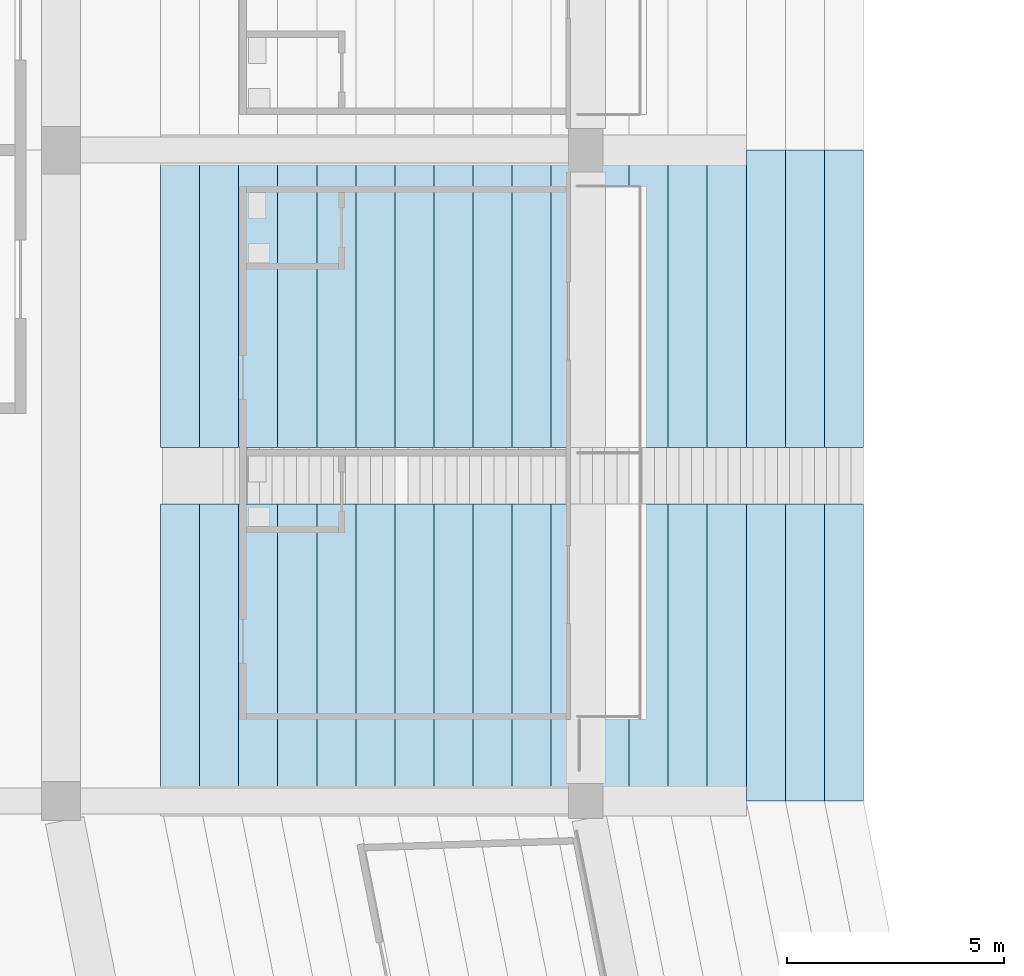
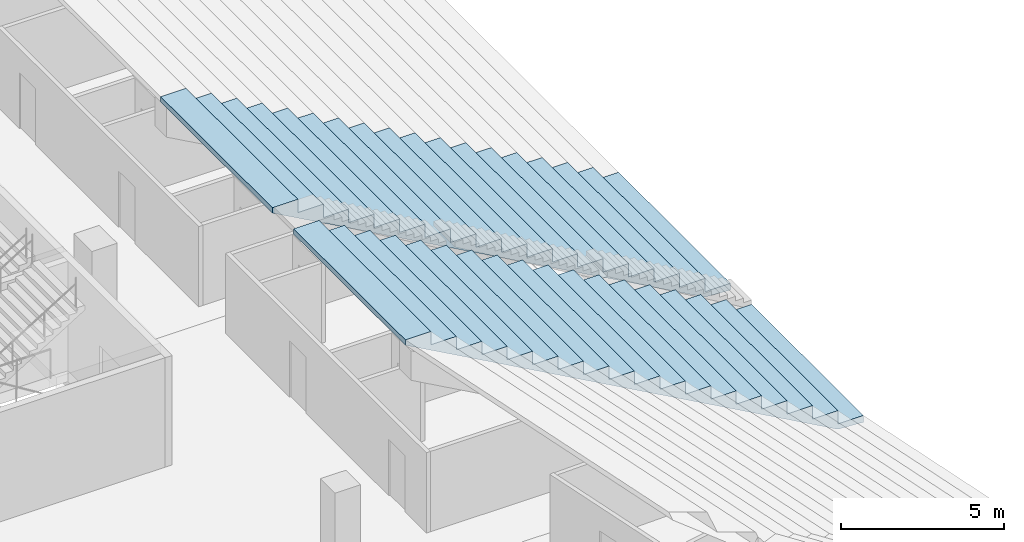
# One storey, part 116 of 249: 1 slab.
"""IFC4 building model written with IfcOpenShell, lengths in metres."""

from ifc_helpers import new_model, si_unit, direction, frame, origin, place, context, subcontext, project, spatial, faceted_brep, material, layer, layer_set, type_object, element, save


model = new_model("IFC4")

# Units and contexts
model_context = context("Model", 3, precision=1e-05, world=origin(), true_north=direction((0.0, 1.0)))
body_context = subcontext(model_context, "Body", "Model", "MODEL_VIEW")
ifc_project = project(units=[si_unit("LENGTHUNIT", "METRE"), si_unit("AREAUNIT", "SQUARE_METRE"), si_unit("VOLUMEUNIT", "CUBIC_METRE"), si_unit("PLANEANGLEUNIT", "RADIAN"), si_unit("MASSUNIT", "GRAM", prefix="KILO")], contexts=[model_context])

# Site, building, storey
site_placement = place(None, origin())
site = spatial("IfcSite", under=ifc_project, at=site_placement, CompositionType="ELEMENT")
building_placement = place(site_placement, origin())
building = spatial("IfcBuilding", under=site, at=building_placement, Name="Ogive Plaza Stadium", CompositionType="ELEMENT")
storey_placement = place(building_placement, frame((0.0, 0.0, 13.5)))
storey = spatial("IfcBuildingStorey", under=building, at=storey_placement, Name="L03", CompositionType="ELEMENT", Elevation=13.5)

# Slab
ifc_material = material(Name="Concrete C45/55 precast", Category="concrete")
ifc_layer = layer(ifc_material, 0.699951171875)
ifc_layer_set = layer_set([ifc_layer], Name="Concrete C45/55 precast")
slab_type = type_object("IfcSlabType", Name="Seating tier UT 700", PredefinedType="USERDEFINED", material=ifc_layer_set)
slab_placement = place(storey_placement, origin())
element("IfcSlab", 1, at=slab_placement, inside=storey, type_object=slab_type, Name="Stand UT B21", ObjectType="SEATING TIER", PredefinedType="USERDEFINED", context=body_context, shape_type="Brep", body=[
    faceted_brep([(-55.5, -45.64990234375, 0.5), (-56.39990234375, -45.64990234375, 0.5), (-56.39990234375, -52.5, 0.5), (-55.5, -52.5, 0.5), (-55.5, -37.5, 0.5), (-56.39990234375, -37.5, 0.5), (-56.39990234375, -44.35009765625, 0.5), (-55.5, -44.35009765625, 0.5), (-56.39990234375, -45.64990234375, 0.300048828125), (-55.5, -52.5, 0.25), (-56.39990234375, -52.5, 0.300048828125), (-55.5, -45.64990234375, 0.25), (-56.39990234375, -37.5, 0.300048828125), (-55.5, -44.35009765625, 0.25), (-56.39990234375, -44.35009765625, 0.300048828125), (-55.5, -37.5, 0.25), (-56.39990234375, -52.5, 1.0), (-56.39990234375, -45.64990234375, 1.0), (-56.39990234375, -44.35009765625, 1.0), (-56.39990234375, -37.5, 1.0), (-57.300048828125, -52.5, 1.0), (-57.300048828125, -52.5, 0.800048828125), (-57.300048828125, -52.5, 1.5), (-58.199951171875, -52.5, 1.5), (-58.199951171875, -52.5, 1.300048828125), (-58.199951171875, -52.5, 2.0), (-59.10009765625, -52.5, 2.0), (-59.10009765625, -52.5, 1.800048828125), (-59.10009765625, -52.5, 2.5), (-60.0, -52.5, 2.5), (-60.0, -52.5, 2.300048828125), (-60.0, -52.5, 3.0), (-60.89990234375, -52.5, 3.0), (-60.89990234375, -52.5, 2.800048828125), (-60.89990234375, -52.5, 3.5), (-61.800048828125, -52.5, 3.5), (-61.800048828125, -52.5, 3.300048828125), (-61.800048828125, -52.5, 4.0), (-62.699951171875, -52.5, 4.0), (-62.699951171875, -52.5, 3.800048828125), (-62.699951171875, -52.5, 4.5), (-63.60009765625, -52.5, 4.5), (-63.60009765625, -52.5, 4.300048828125), (-63.60009765625, -52.5, 5.0), (-64.5, -52.5, 5.0), (-64.5, -52.5, 4.800048828125), (-64.5, -52.5, 5.5), (-65.39990234375, -52.5, 5.5), (-65.39990234375, -52.5, 5.300048828125), (-65.39990234375, -52.5, 6.0), (-66.300048828125, -52.5, 6.0), (-66.300048828125, -52.5, 5.800048828125), (-66.300048828125, -52.5, 6.5), (-67.199951171875, -52.5, 6.5), (-67.199951171875, -52.5, 6.300048828125), (-67.199951171875, -52.5, 7.0), (-68.10009765625, -52.5, 7.0), (-68.10009765625, -52.5, 6.800048828125), (-68.10009765625, -52.5, 7.5), (-69.0, -52.5, 7.5), (-69.0, -52.5, 7.300048828125), (-69.0, -52.5, 8.0), (-69.89990234375, -52.5, 8.0), (-69.89990234375, -52.5, 7.800048828125), (-69.89990234375, -52.5, 8.5), (-70.800048828125, -52.5, 8.5), (-70.800048828125, -52.5, 8.300048828125), (-70.800048828125, -52.5, 9.0), (-71.699951171875, -52.5, 9.0), (-71.699951171875, -52.5, 8.800048828125), (-57.300048828125, -45.64990234375, 1.0), (-57.300048828125, -45.64990234375, 0.800048828125), (-58.199951171875, -45.64990234375, 1.5), (-57.300048828125, -45.64990234375, 1.5), (-58.199951171875, -45.64990234375, 1.300048828125), (-59.10009765625, -45.64990234375, 2.0), (-58.199951171875, -45.64990234375, 2.0), (-59.10009765625, -45.64990234375, 1.800048828125), (-60.0, -45.64990234375, 2.5), (-59.10009765625, -45.64990234375, 2.5), (-60.0, -45.64990234375, 2.300048828125), (-60.89990234375, -45.64990234375, 3.0), (-60.0, -45.64990234375, 3.0), (-60.89990234375, -45.64990234375, 2.800048828125), (-61.800048828125, -45.64990234375, 3.5), (-60.89990234375, -45.64990234375, 3.5), (-61.800048828125, -45.64990234375, 3.300048828125), (-62.699951171875, -45.64990234375, 4.0), (-61.800048828125, -45.64990234375, 4.0), (-62.699951171875, -45.64990234375, 3.800048828125), (-63.60009765625, -45.64990234375, 4.5), (-62.699951171875, -45.64990234375, 4.5), (-63.60009765625, -45.64990234375, 4.300048828125), (-64.5, -45.64990234375, 5.0), (-63.60009765625, -45.64990234375, 5.0), (-64.5, -45.64990234375, 4.800048828125), (-65.39990234375, -45.64990234375, 5.5), (-64.5, -45.64990234375, 5.5), (-65.39990234375, -45.64990234375, 5.300048828125), (-66.300048828125, -45.64990234375, 6.0), (-65.39990234375, -45.64990234375, 6.0), (-66.300048828125, -45.64990234375, 5.800048828125), (-67.199951171875, -45.64990234375, 6.5), (-66.300048828125, -45.64990234375, 6.5), (-67.199951171875, -45.64990234375, 6.300048828125), (-68.10009765625, -45.64990234375, 7.0), (-67.199951171875, -45.64990234375, 7.0), (-68.10009765625, -45.64990234375, 6.800048828125), (-69.0, -45.64990234375, 7.5), (-68.10009765625, -45.64990234375, 7.5), (-69.0, -45.64990234375, 7.300048828125), (-69.89990234375, -45.64990234375, 8.0), (-69.0, -45.64990234375, 8.0), (-69.89990234375, -45.64990234375, 7.800048828125), (-70.800048828125, -45.64990234375, 8.5), (-69.89990234375, -45.64990234375, 8.5), (-70.800048828125, -45.64990234375, 8.300048828125), (-71.699951171875, -45.64990234375, 9.0), (-70.800048828125, -45.64990234375, 9.0), (-71.699951171875, -45.64990234375, 8.800048828125), (-57.300048828125, -44.35009765625, 1.0), (-57.300048828125, -44.35009765625, 0.800048828125), (-57.300048828125, -44.35009765625, 1.5), (-58.199951171875, -44.35009765625, 1.5), (-58.199951171875, -44.35009765625, 1.300048828125), (-58.199951171875, -44.35009765625, 2.0), (-59.10009765625, -44.35009765625, 2.0), (-59.10009765625, -44.35009765625, 1.800048828125), (-59.10009765625, -44.35009765625, 2.5), (-60.0, -44.35009765625, 2.5), (-60.0, -44.35009765625, 2.300048828125), (-60.0, -44.35009765625, 3.0), (-60.89990234375, -44.35009765625, 3.0), (-60.89990234375, -44.35009765625, 2.800048828125), (-60.89990234375, -44.35009765625, 3.5), (-61.800048828125, -44.35009765625, 3.5), (-61.800048828125, -44.35009765625, 3.300048828125), (-61.800048828125, -44.35009765625, 4.0), (-62.699951171875, -44.35009765625, 4.0), (-62.699951171875, -44.35009765625, 3.800048828125), (-62.699951171875, -44.35009765625, 4.5), (-63.60009765625, -44.35009765625, 4.5), (-63.60009765625, -44.35009765625, 4.300048828125), (-63.60009765625, -44.35009765625, 5.0), (-64.5, -44.35009765625, 5.0), (-64.5, -44.35009765625, 4.800048828125), (-64.5, -44.35009765625, 5.5), (-65.39990234375, -44.35009765625, 5.5), (-65.39990234375, -44.35009765625, 5.300048828125), (-65.39990234375, -44.35009765625, 6.0), (-66.300048828125, -44.35009765625, 6.0), (-66.300048828125, -44.35009765625, 5.800048828125), (-66.300048828125, -44.35009765625, 6.5), (-67.199951171875, -44.35009765625, 6.5), (-67.199951171875, -44.35009765625, 6.300048828125), (-67.199951171875, -44.35009765625, 7.0), (-68.10009765625, -44.35009765625, 7.0), (-68.10009765625, -44.35009765625, 6.800048828125), (-68.10009765625, -44.35009765625, 7.5), (-69.0, -44.35009765625, 7.5), (-69.0, -44.35009765625, 7.300048828125), (-69.0, -44.35009765625, 8.0), (-69.89990234375, -44.35009765625, 8.0), (-69.89990234375, -44.35009765625, 7.800048828125), (-69.89990234375, -44.35009765625, 8.5), (-70.800048828125, -44.35009765625, 8.5), (-70.800048828125, -44.35009765625, 8.300048828125), (-70.800048828125, -44.35009765625, 9.0), (-71.699951171875, -44.35009765625, 9.0), (-71.699951171875, -44.35009765625, 8.800048828125), (-57.300048828125, -37.5, 1.0), (-57.300048828125, -37.5, 0.800048828125), (-58.199951171875, -37.5, 1.5), (-57.300048828125, -37.5, 1.5), (-58.199951171875, -37.5, 1.300048828125), (-59.10009765625, -37.5, 2.0), (-58.199951171875, -37.5, 2.0), (-59.10009765625, -37.5, 1.800048828125), (-60.0, -37.5, 2.5), (-59.10009765625, -37.5, 2.5), (-60.0, -37.5, 2.300048828125), (-60.89990234375, -37.5, 3.0), (-60.0, -37.5, 3.0), (-60.89990234375, -37.5, 2.800048828125), (-61.800048828125, -37.5, 3.5), (-60.89990234375, -37.5, 3.5), (-61.800048828125, -37.5, 3.300048828125), (-62.699951171875, -37.5, 4.0), (-61.800048828125, -37.5, 4.0), (-62.699951171875, -37.5, 3.800048828125), (-63.60009765625, -37.5, 4.5), (-62.699951171875, -37.5, 4.5), (-63.60009765625, -37.5, 4.300048828125), (-64.5, -37.5, 5.0), (-63.60009765625, -37.5, 5.0), (-64.5, -37.5, 4.800048828125), (-65.39990234375, -37.5, 5.5), (-64.5, -37.5, 5.5), (-65.39990234375, -37.5, 5.300048828125), (-66.300048828125, -37.5, 6.0), (-65.39990234375, -37.5, 6.0), (-66.300048828125, -37.5, 5.800048828125), (-67.199951171875, -37.5, 6.5), (-66.300048828125, -37.5, 6.5), (-67.199951171875, -37.5, 6.300048828125), (-68.10009765625, -37.5, 7.0), (-67.199951171875, -37.5, 7.0), (-68.10009765625, -37.5, 6.800048828125), (-69.0, -37.5, 7.5), (-68.10009765625, -37.5, 7.5), (-69.0, -37.5, 7.300048828125), (-69.89990234375, -37.5, 8.0), (-69.0, -37.5, 8.0), (-69.89990234375, -37.5, 7.800048828125), (-70.800048828125, -37.5, 8.5), (-69.89990234375, -37.5, 8.5), (-70.800048828125, -37.5, 8.300048828125), (-71.699951171875, -37.5, 9.0), (-70.800048828125, -37.5, 9.0), (-71.699951171875, -37.5, 8.800048828125)], [[[0, 1, 2]], [[2, 3, 0]], [[4, 5, 6]], [[6, 7, 4]], [[8, 9, 10]], [[8, 11, 9]], [[12, 13, 14]], [[12, 15, 13]], [[16, 2, 1]], [[1, 17, 16]], [[18, 6, 5]], [[5, 19, 18]], [[10, 9, 3]], [[10, 3, 2]], [[2, 16, 20]], [[20, 21, 10]], [[10, 2, 20]], [[20, 22, 23]], [[23, 24, 21]], [[21, 20, 23]], [[23, 25, 26]], [[26, 27, 24]], [[24, 23, 26]], [[26, 28, 29]], [[29, 30, 27]], [[27, 26, 29]], [[29, 31, 32]], [[32, 33, 30]], [[30, 29, 32]], [[32, 34, 35]], [[35, 36, 33]], [[33, 32, 35]], [[35, 37, 38]], [[38, 39, 36]], [[36, 35, 38]], [[38, 40, 41]], [[41, 42, 39]], [[39, 38, 41]], [[41, 43, 44]], [[44, 45, 42]], [[42, 41, 44]], [[44, 46, 47]], [[47, 48, 45]], [[45, 44, 47]], [[47, 49, 50]], [[50, 51, 48]], [[48, 47, 50]], [[50, 52, 53]], [[53, 54, 51]], [[51, 50, 53]], [[53, 55, 56]], [[56, 57, 54]], [[54, 53, 56]], [[56, 58, 59]], [[59, 60, 57]], [[57, 56, 59]], [[59, 61, 62]], [[62, 63, 60]], [[60, 59, 62]], [[62, 64, 65]], [[65, 66, 63]], [[63, 62, 65]], [[65, 67, 68]], [[68, 69, 66]], [[66, 65, 68]], [[3, 9, 11]], [[11, 0, 3]], [[7, 13, 15]], [[15, 4, 7]], [[0, 11, 8]], [[8, 1, 0]], [[70, 17, 1]], [[1, 8, 71]], [[71, 70, 1]], [[72, 73, 70]], [[70, 71, 74]], [[74, 72, 70]], [[75, 76, 72]], [[72, 74, 77]], [[77, 75, 72]], [[78, 79, 75]], [[75, 77, 80]], [[80, 78, 75]], [[81, 82, 78]], [[78, 80, 83]], [[83, 81, 78]], [[84, 85, 81]], [[81, 83, 86]], [[86, 84, 81]], [[87, 88, 84]], [[84, 86, 89]], [[89, 87, 84]], [[90, 91, 87]], [[87, 89, 92]], [[92, 90, 87]], [[93, 94, 90]], [[90, 92, 95]], [[95, 93, 90]], [[96, 97, 93]], [[93, 95, 98]], [[98, 96, 93]], [[99, 100, 96]], [[96, 98, 101]], [[101, 99, 96]], [[102, 103, 99]], [[99, 101, 104]], [[104, 102, 99]], [[105, 106, 102]], [[102, 104, 107]], [[107, 105, 102]], [[108, 109, 105]], [[105, 107, 110]], [[110, 108, 105]], [[111, 112, 108]], [[108, 110, 113]], [[113, 111, 108]], [[114, 115, 111]], [[111, 113, 116]], [[116, 114, 111]], [[117, 118, 114]], [[114, 116, 119]], [[119, 117, 114]], [[14, 13, 7]], [[14, 7, 6]], [[6, 18, 120]], [[120, 121, 14]], [[14, 6, 120]], [[120, 122, 123]], [[123, 124, 121]], [[121, 120, 123]], [[123, 125, 126]], [[126, 127, 124]], [[124, 123, 126]], [[126, 128, 129]], [[129, 130, 127]], [[127, 126, 129]], [[129, 131, 132]], [[132, 133, 130]], [[130, 129, 132]], [[132, 134, 135]], [[135, 136, 133]], [[133, 132, 135]], [[135, 137, 138]], [[138, 139, 136]], [[136, 135, 138]], [[138, 140, 141]], [[141, 142, 139]], [[139, 138, 141]], [[141, 143, 144]], [[144, 145, 142]], [[142, 141, 144]], [[144, 146, 147]], [[147, 148, 145]], [[145, 144, 147]], [[147, 149, 150]], [[150, 151, 148]], [[148, 147, 150]], [[150, 152, 153]], [[153, 154, 151]], [[151, 150, 153]], [[153, 155, 156]], [[156, 157, 154]], [[154, 153, 156]], [[156, 158, 159]], [[159, 160, 157]], [[157, 156, 159]], [[159, 161, 162]], [[162, 163, 160]], [[160, 159, 162]], [[162, 164, 165]], [[165, 166, 163]], [[163, 162, 165]], [[165, 167, 168]], [[168, 169, 166]], [[166, 165, 168]], [[4, 15, 12]], [[12, 5, 4]], [[170, 19, 5]], [[5, 12, 171]], [[171, 170, 5]], [[172, 173, 170]], [[170, 171, 174]], [[174, 172, 170]], [[175, 176, 172]], [[172, 174, 177]], [[177, 175, 172]], [[178, 179, 175]], [[175, 177, 180]], [[180, 178, 175]], [[181, 182, 178]], [[178, 180, 183]], [[183, 181, 178]], [[184, 185, 181]], [[181, 183, 186]], [[186, 184, 181]], [[187, 188, 184]], [[184, 186, 189]], [[189, 187, 184]], [[190, 191, 187]], [[187, 189, 192]], [[192, 190, 187]], [[193, 194, 190]], [[190, 192, 195]], [[195, 193, 190]], [[196, 197, 193]], [[193, 195, 198]], [[198, 196, 193]], [[199, 200, 196]], [[196, 198, 201]], [[201, 199, 196]], [[202, 203, 199]], [[199, 201, 204]], [[204, 202, 199]], [[205, 206, 202]], [[202, 204, 207]], [[207, 205, 202]], [[208, 209, 205]], [[205, 207, 210]], [[210, 208, 205]], [[211, 212, 208]], [[208, 210, 213]], [[213, 211, 208]], [[214, 215, 211]], [[211, 213, 216]], [[216, 214, 211]], [[217, 218, 214]], [[214, 216, 219]], [[219, 217, 214]], [[17, 70, 20]], [[20, 16, 17]], [[19, 170, 120]], [[120, 18, 19]], [[71, 10, 21]], [[71, 8, 10]], [[171, 14, 121]], [[171, 12, 14]], [[74, 21, 24]], [[74, 71, 21]], [[174, 121, 124]], [[174, 171, 121]], [[77, 24, 27]], [[77, 74, 24]], [[177, 124, 127]], [[177, 174, 124]], [[80, 27, 30]], [[80, 77, 27]], [[180, 127, 130]], [[180, 177, 127]], [[83, 30, 33]], [[83, 80, 30]], [[183, 130, 133]], [[183, 180, 130]], [[86, 33, 36]], [[86, 83, 33]], [[186, 133, 136]], [[186, 183, 133]], [[89, 36, 39]], [[89, 86, 36]], [[189, 136, 139]], [[189, 186, 136]], [[92, 39, 42]], [[92, 89, 39]], [[192, 139, 142]], [[192, 189, 139]], [[95, 42, 45]], [[95, 92, 42]], [[195, 142, 145]], [[195, 192, 142]], [[98, 45, 48]], [[98, 95, 45]], [[198, 145, 148]], [[198, 195, 145]], [[101, 48, 51]], [[101, 98, 48]], [[201, 148, 151]], [[201, 198, 148]], [[104, 51, 54]], [[104, 101, 51]], [[204, 151, 154]], [[204, 201, 151]], [[107, 54, 57]], [[107, 104, 54]], [[207, 154, 157]], [[207, 204, 154]], [[110, 57, 60]], [[110, 107, 57]], [[210, 157, 160]], [[210, 207, 157]], [[22, 20, 70]], [[70, 73, 22]], [[122, 120, 170]], [[170, 173, 122]], [[73, 72, 23]], [[23, 22, 73]], [[173, 172, 123]], [[123, 122, 173]], [[25, 23, 72]], [[72, 76, 25]], [[125, 123, 172]], [[172, 176, 125]], [[76, 75, 26]], [[26, 25, 76]], [[176, 175, 126]], [[126, 125, 176]], [[28, 26, 75]], [[75, 79, 28]], [[128, 126, 175]], [[175, 179, 128]], [[79, 78, 29]], [[29, 28, 79]], [[179, 178, 129]], [[129, 128, 179]], [[31, 29, 78]], [[78, 82, 31]], [[131, 129, 178]], [[178, 182, 131]], [[82, 81, 32]], [[32, 31, 82]], [[182, 181, 132]], [[132, 131, 182]], [[34, 32, 81]], [[81, 85, 34]], [[134, 132, 181]], [[181, 185, 134]], [[85, 84, 35]], [[35, 34, 85]], [[185, 184, 135]], [[135, 134, 185]], [[37, 35, 84]], [[84, 88, 37]], [[137, 135, 184]], [[184, 188, 137]], [[88, 87, 38]], [[38, 37, 88]], [[188, 187, 138]], [[138, 137, 188]], [[40, 38, 87]], [[87, 91, 40]], [[140, 138, 187]], [[187, 191, 140]], [[91, 90, 41]], [[41, 40, 91]], [[191, 190, 141]], [[141, 140, 191]], [[43, 41, 90]], [[90, 94, 43]], [[143, 141, 190]], [[190, 194, 143]], [[94, 93, 44]], [[44, 43, 94]], [[194, 193, 144]], [[144, 143, 194]], [[46, 44, 93]], [[93, 97, 46]], [[146, 144, 193]], [[193, 197, 146]], [[97, 96, 47]], [[47, 46, 97]], [[197, 196, 147]], [[147, 146, 197]], [[49, 47, 96]], [[96, 100, 49]], [[149, 147, 196]], [[196, 200, 149]], [[100, 99, 50]], [[50, 49, 100]], [[200, 199, 150]], [[150, 149, 200]], [[52, 50, 99]], [[99, 103, 52]], [[152, 150, 199]], [[199, 203, 152]], [[103, 102, 53]], [[53, 52, 103]], [[203, 202, 153]], [[153, 152, 203]], [[55, 53, 102]], [[102, 106, 55]], [[155, 153, 202]], [[202, 206, 155]], [[106, 105, 56]], [[56, 55, 106]], [[206, 205, 156]], [[156, 155, 206]], [[58, 56, 105]], [[105, 109, 58]], [[158, 156, 205]], [[205, 209, 158]], [[109, 108, 59]], [[59, 58, 109]], [[209, 208, 159]], [[159, 158, 209]], [[61, 59, 108]], [[108, 112, 61]], [[161, 159, 208]], [[208, 212, 161]], [[112, 111, 62]], [[62, 61, 112]], [[212, 211, 162]], [[162, 161, 212]], [[113, 60, 63]], [[113, 110, 60]], [[213, 160, 163]], [[213, 210, 160]], [[116, 63, 66]], [[116, 113, 63]], [[216, 163, 166]], [[216, 213, 163]], [[119, 66, 69]], [[119, 116, 66]], [[219, 166, 169]], [[219, 216, 166]], [[64, 62, 111]], [[111, 115, 64]], [[164, 162, 211]], [[211, 215, 164]], [[115, 114, 65]], [[65, 64, 115]], [[215, 214, 165]], [[165, 164, 215]], [[67, 65, 114]], [[114, 118, 67]], [[167, 165, 214]], [[214, 218, 167]], [[118, 117, 68]], [[68, 67, 118]], [[218, 217, 168]], [[168, 167, 218]], [[117, 119, 69]], [[69, 68, 117]], [[217, 219, 169]], [[169, 168, 217]]]),
])

save(model, "model.ifc")
